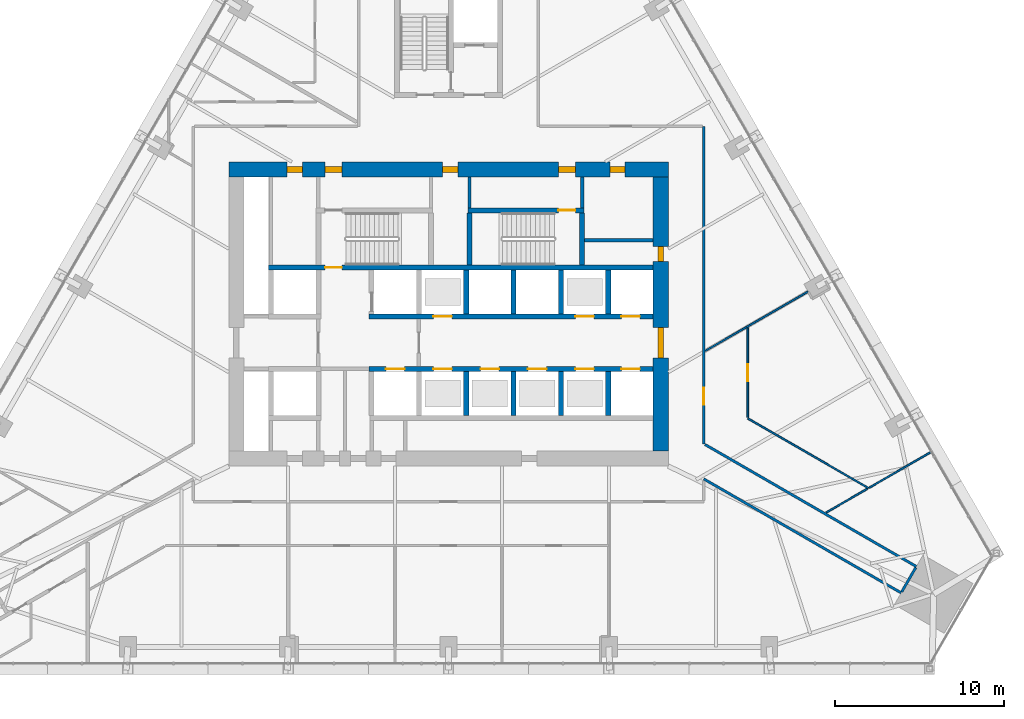
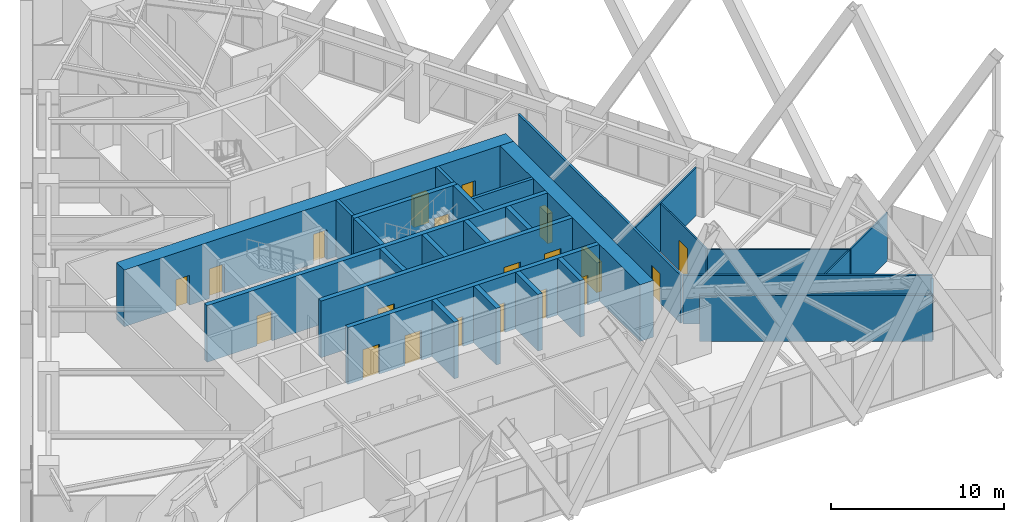
# One storey, part 17 of 21: 28 walls, 20 doors, 20 openings.
"""IFC4 building model written with IfcOpenShell, lengths in metres."""

from ifc_helpers import new_model, si_unit, direction, frame, frame_2d, origin, place, context, subcontext, project, spatial, rectangle, extrude, material, layer, layer_set, type_object, element, fill, save


model = new_model("IFC4")

# Units and contexts
model_context = context("Model", 3, precision=1e-05, world=origin(), true_north=direction((0.0, 1.0)))
body_context = subcontext(model_context, "Body", "Model", "MODEL_VIEW")
ifc_project = project(units=[si_unit("LENGTHUNIT", "METRE"), si_unit("AREAUNIT", "SQUARE_METRE"), si_unit("VOLUMEUNIT", "CUBIC_METRE"), si_unit("PLANEANGLEUNIT", "RADIAN"), si_unit("MASSUNIT", "GRAM", prefix="KILO")], contexts=[model_context])

# Site, building, storey
site_placement = place(None, origin())
site = spatial("IfcSite", under=ifc_project, at=site_placement, CompositionType="ELEMENT")
building_placement = place(site_placement, origin())
building = spatial("IfcBuilding", under=site, at=building_placement, Name="Firuza Gate Tower and Library", CompositionType="ELEMENT")
storey_placement = place(building_placement, frame((0.0, 0.0, 73.60009765625)))
storey = spatial("IfcBuildingStorey", under=building, at=storey_placement, Name="L16", CompositionType="ELEMENT", Elevation=73.60009765625)

# Walls
ifc_material_1 = material(Name="Plasterboard on steel studs", Category="steel")
ifc_layer_1 = layer(ifc_material_1, 0.199951171875)
ifc_layer_set_1 = layer_set([ifc_layer_1], Name="Core partition 200 EI 120")
wall_type_1 = type_object("IfcWallType", Name="Core partition 200 EI 120", PredefinedType="PARTITIONING", material=ifc_layer_set_1)
wall_1_placement = place(storey_placement, frame((83.050048828125, 79.35498046875, 0.0), z_axis=(0.0, 0.0, 1.0), x_axis=(1.0, 0.0, 0.0)))
element("IfcWall", 1, at=wall_1_placement, inside=storey, type_object=wall_type_1, Name="Core partition L16 4", PredefinedType="PARTITIONING", context=body_context, shape_type="SweptSolid", body=[
    extrude(rectangle(XDim=4.050048828125, YDim=0.199951171875, at=frame_2d((2.02490234375, 0.0))), origin(), (0.0, 0.0, 1.0), 4.0),
])
wall_2_placement = place(storey_placement, frame((82.89990234375, 81.280029296875, 0.0), z_axis=(0.0, 0.0, 1.0), x_axis=(0.0, 1.0, 0.0)))
element("IfcWall", 2, at=wall_2_placement, inside=storey, type_object=wall_type_1, Name="Core partition L16 16", PredefinedType="PARTITIONING", context=body_context, shape_type="SweptSolid", body=[
    extrude(rectangle(XDim=1.820068359375, YDim=0.199951171875, at=frame_2d((0.91015625, 0.0))), origin(), (0.0, 0.0, 1.0), 4.0),
])
ifc_material_2 = material(Name="Plasterboard on steel studs", Category="steel")
ifc_layer_2 = layer(ifc_material_2, 0.199951171875)
ifc_layer_set_2 = layer_set([ifc_layer_2], Name="Core partition 200 EI 60")
wall_type_2 = type_object("IfcWallType", Name="Core partition 200 EI 60", PredefinedType="PARTITIONING", material=ifc_layer_set_2)
wall_3_placement = place(storey_placement, frame((76.239990234375, 81.280029296875, 0.0), z_axis=(0.0, 0.0, 1.0), x_axis=(0.0, 1.0, 0.0)))
element("IfcWall", 3, at=wall_3_placement, inside=storey, type_object=wall_type_2, Name="Core partition L16 15", PredefinedType="PARTITIONING", context=body_context, shape_type="SweptSolid", body=[
    extrude(rectangle(XDim=1.820068359375, YDim=0.199951171875, at=frame_2d((0.91015625, 0.0))), origin(), (0.0, 0.0, 1.0), 4.0),
])

# Wall, openings, doors
ifc_material_3 = material(Name="Concrete C80/95", Category="concrete")
ifc_layer_3 = layer(ifc_material_3, 0.300048828125)
ifc_layer_set_3 = layer_set([ifc_layer_3], Name="Core wall 300 C80/95")
wall_type_3 = type_object("IfcWallType", Name="Core wall 300 C80/95", PredefinedType="SHEAR", material=ifc_layer_set_3)
wall_4_placement = place(storey_placement, frame((70.300048828125, 71.75, 0.0), z_axis=(0.0, 0.0, 1.0), x_axis=(1.0, 0.0, 0.0)))
wall_4 = element("IfcWall", 4, at=wall_4_placement, inside=storey, type_object=wall_type_3, Name="Core wall L16 8", PredefinedType="SHEAR", context=body_context, shape_type="SweptSolid", body=[
    extrude(rectangle(XDim=16.800048828125, YDim=0.300048828125, at=frame_2d((8.39990234375, 0.0))), origin(), (0.0, 0.0, 1.0), 4.0),
])
opening_1_placement = place(wall_4_placement, frame((1.0, 0.0, 0.0)))
opening_1 = element("IfcOpeningElement", 5, at=opening_1_placement, cuts=wall_4, Name="Opening LD-FF1-L16", PredefinedType="OPENING", context=body_context, shape_type="SweptSolid", body=[
    extrude(rectangle(XDim=1.10009765625, YDim=2.10009765625, at=frame_2d((0.550048828125, 1.050048828125))), frame((0.0, 0.16015625, 0.0), z_axis=(0.0, -1.0, 0.0), x_axis=(1.0, 0.0, 0.0)), (0.0, 0.0, 1.0), 0.320068359375),
])
opening_2_placement = place(wall_4_placement, frame((3.800048828125, 0.0, 0.0)))
opening_2 = element("IfcOpeningElement", 6, at=opening_2_placement, cuts=wall_4, Name="Opening LD-LR1-L16", PredefinedType="OPENING", context=body_context, shape_type="SweptSolid", body=[
    extrude(rectangle(XDim=1.10009765625, YDim=2.10009765625, at=frame_2d((0.550048828125, 1.050048828125))), frame((0.0, 0.16015625, 0.0), z_axis=(0.0, -1.0, 0.0), x_axis=(1.0, 0.0, 0.0)), (0.0, 0.0, 1.0), 0.320068359375),
])
opening_3_placement = place(wall_4_placement, frame((6.60009765625, 0.0, 0.0)))
opening_3 = element("IfcOpeningElement", 7, at=opening_3_placement, cuts=wall_4, Name="Opening LD-LR2-L16", PredefinedType="OPENING", context=body_context, shape_type="SweptSolid", body=[
    extrude(rectangle(XDim=1.10009765625, YDim=2.10009765625, at=frame_2d((0.550048828125, 1.050048828125))), frame((0.0, 0.16015625, 0.0), z_axis=(0.0, -1.0, 0.0), x_axis=(1.0, 0.0, 0.0)), (0.0, 0.0, 1.0), 0.320068359375),
])
opening_4_placement = place(wall_4_placement, frame((9.39990234375, 0.0, 0.0)))
opening_4 = element("IfcOpeningElement", 8, at=opening_4_placement, cuts=wall_4, Name="Opening LD-LR3-L16", PredefinedType="OPENING", context=body_context, shape_type="SweptSolid", body=[
    extrude(rectangle(XDim=1.10009765625, YDim=2.10009765625, at=frame_2d((0.550048828125, 1.050048828125))), frame((0.0, 0.16015625, 0.0), z_axis=(0.0, -1.0, 0.0), x_axis=(1.0, 0.0, 0.0)), (0.0, 0.0, 1.0), 0.320068359375),
])
opening_5_placement = place(wall_4_placement, frame((12.199951171875, 0.0, 0.0)))
opening_5 = element("IfcOpeningElement", 9, at=opening_5_placement, cuts=wall_4, Name="Opening LD-LR5-L16", PredefinedType="OPENING", context=body_context, shape_type="SweptSolid", body=[
    extrude(rectangle(XDim=1.10009765625, YDim=2.10009765625, at=frame_2d((0.550048828125, 1.050048828125))), frame((0.0, 0.16015625, 0.0), z_axis=(0.0, -1.0, 0.0), x_axis=(1.0, 0.0, 0.0)), (0.0, 0.0, 1.0), 0.320068359375),
])
opening_6_placement = place(wall_4_placement, frame((14.925048828125, 0.0, 0.0)))
opening_6 = element("IfcOpeningElement", 10, at=opening_6_placement, cuts=wall_4, Name="Opening LD-LR7-L16", PredefinedType="OPENING", context=body_context, shape_type="SweptSolid", body=[
    extrude(rectangle(XDim=1.10009765625, YDim=2.10009765625, at=frame_2d((0.550048828125, 1.050048828125))), frame((0.0, 0.16015625, 0.0), z_axis=(0.0, -1.0, 0.0), x_axis=(1.0, 0.0, 0.0)), (0.0, 0.0, 1.0), 0.320068359375),
])
ifc_material_4 = material(Name="Stainless steel", Category="steel")
door_type_1 = type_object("IfcDoorType", Name="Lift landing door 1100x2100", OperationType="DOUBLE_DOOR_SLIDING", PredefinedType="DOOR", material=ifc_material_4)
door_1_placement = place(opening_1_placement, origin())
door_1 = element("IfcDoor", 11, at=door_1_placement, inside=storey, type_object=door_type_1, Name="Landing door FF1 L16", OperationType="DOUBLE_DOOR_SLIDING", OverallHeight=2.10009765625, OverallWidth=1.10009765625, PredefinedType="DOOR", context=body_context, shape_type="SweptSolid", body=[
    extrude(rectangle(XDim=1.10009765625, YDim=2.10009765625, at=frame_2d((0.550048828125, 1.050048828125))), frame((0.0, 0.02490234375, 0.0), z_axis=(0.0, -1.0, 0.0), x_axis=(1.0, 0.0, 0.0)), (0.0, 0.0, 1.0), 0.050048828125),
])
fill(opening_1, door_1)
door_2_placement = place(opening_2_placement, origin())
door_2 = element("IfcDoor", 12, at=door_2_placement, inside=storey, type_object=door_type_1, Name="Landing door LR1 L16", OperationType="DOUBLE_DOOR_SLIDING", OverallHeight=2.10009765625, OverallWidth=1.10009765625, PredefinedType="DOOR", context=body_context, shape_type="SweptSolid", body=[
    extrude(rectangle(XDim=1.10009765625, YDim=2.10009765625, at=frame_2d((0.550048828125, 1.050048828125))), frame((0.0, 0.02490234375, 0.0), z_axis=(0.0, -1.0, 0.0), x_axis=(1.0, 0.0, 0.0)), (0.0, 0.0, 1.0), 0.050048828125),
])
fill(opening_2, door_2)
door_3_placement = place(opening_3_placement, origin())
door_3 = element("IfcDoor", 13, at=door_3_placement, inside=storey, type_object=door_type_1, Name="Landing door LR2 L16", OperationType="DOUBLE_DOOR_SLIDING", OverallHeight=2.10009765625, OverallWidth=1.10009765625, PredefinedType="DOOR", context=body_context, shape_type="SweptSolid", body=[
    extrude(rectangle(XDim=1.10009765625, YDim=2.10009765625, at=frame_2d((0.550048828125, 1.050048828125))), frame((0.0, 0.02490234375, 0.0), z_axis=(0.0, -1.0, 0.0), x_axis=(1.0, 0.0, 0.0)), (0.0, 0.0, 1.0), 0.050048828125),
])
fill(opening_3, door_3)
door_4_placement = place(opening_4_placement, origin())
door_4 = element("IfcDoor", 14, at=door_4_placement, inside=storey, type_object=door_type_1, Name="Landing door LR3 L16", OperationType="DOUBLE_DOOR_SLIDING", OverallHeight=2.10009765625, OverallWidth=1.10009765625, PredefinedType="DOOR", context=body_context, shape_type="SweptSolid", body=[
    extrude(rectangle(XDim=1.10009765625, YDim=2.10009765625, at=frame_2d((0.550048828125, 1.050048828125))), frame((0.0, 0.02490234375, 0.0), z_axis=(0.0, -1.0, 0.0), x_axis=(1.0, 0.0, 0.0)), (0.0, 0.0, 1.0), 0.050048828125),
])
fill(opening_4, door_4)
door_5_placement = place(opening_5_placement, origin())
door_5 = element("IfcDoor", 15, at=door_5_placement, inside=storey, type_object=door_type_1, Name="Landing door LR5 L16", OperationType="DOUBLE_DOOR_SLIDING", OverallHeight=2.10009765625, OverallWidth=1.10009765625, PredefinedType="DOOR", context=body_context, shape_type="SweptSolid", body=[
    extrude(rectangle(XDim=1.10009765625, YDim=2.10009765625, at=frame_2d((0.550048828125, 1.050048828125))), frame((0.0, 0.02490234375, 0.0), z_axis=(0.0, -1.0, 0.0), x_axis=(1.0, 0.0, 0.0)), (0.0, 0.0, 1.0), 0.050048828125),
])
fill(opening_5, door_5)
door_6_placement = place(opening_6_placement, origin())
door_6 = element("IfcDoor", 16, at=door_6_placement, inside=storey, type_object=door_type_1, Name="Landing door LR7 L16", OperationType="DOUBLE_DOOR_SLIDING", OverallHeight=2.10009765625, OverallWidth=1.10009765625, PredefinedType="DOOR", context=body_context, shape_type="SweptSolid", body=[
    extrude(rectangle(XDim=1.10009765625, YDim=2.10009765625, at=frame_2d((0.550048828125, 1.050048828125))), frame((0.0, 0.02490234375, 0.0), z_axis=(0.0, -1.0, 0.0), x_axis=(1.0, 0.0, 0.0)), (0.0, 0.0, 1.0), 0.050048828125),
])
fill(opening_6, door_6)

wall_5_placement = place(storey_placement, frame((70.300048828125, 74.85009765625, 0.0), z_axis=(0.0, 0.0, 1.0), x_axis=(1.0, 0.0, 0.0)))
wall_5 = element("IfcWall", 17, at=wall_5_placement, inside=storey, type_object=wall_type_3, Name="Core wall L16 10", PredefinedType="SHEAR", context=body_context, shape_type="SweptSolid", body=[
    extrude(rectangle(XDim=16.800048828125, YDim=0.300048828125, at=frame_2d((8.39990234375, 0.0))), origin(), (0.0, 0.0, 1.0), 4.0),
])
opening_7_placement = place(wall_5_placement, frame((3.800048828125, 0.0, 0.0)))
opening_7 = element("IfcOpeningElement", 18, at=opening_7_placement, cuts=wall_5, Name="Opening LD-LR4-L16", PredefinedType="OPENING", context=body_context, shape_type="SweptSolid", body=[
    extrude(rectangle(XDim=1.10009765625, YDim=2.10009765625, at=frame_2d((0.550048828125, 1.050048828125))), frame((0.0, 0.16015625, 0.0), z_axis=(0.0, -1.0, 0.0), x_axis=(1.0, 0.0, 0.0)), (0.0, 0.0, 1.0), 0.320068359375),
])
opening_8_placement = place(wall_5_placement, frame((12.199951171875, 0.0, 0.0)))
opening_8 = element("IfcOpeningElement", 19, at=opening_8_placement, cuts=wall_5, Name="Opening LD-LR6-L16", PredefinedType="OPENING", context=body_context, shape_type="SweptSolid", body=[
    extrude(rectangle(XDim=1.10009765625, YDim=2.10009765625, at=frame_2d((0.550048828125, 1.050048828125))), frame((0.0, 0.16015625, 0.0), z_axis=(0.0, -1.0, 0.0), x_axis=(1.0, 0.0, 0.0)), (0.0, 0.0, 1.0), 0.320068359375),
])
opening_9_placement = place(wall_5_placement, frame((14.925048828125, 0.0, 0.0)))
opening_9 = element("IfcOpeningElement", 20, at=opening_9_placement, cuts=wall_5, Name="Opening LD-LR8-L16", PredefinedType="OPENING", context=body_context, shape_type="SweptSolid", body=[
    extrude(rectangle(XDim=1.10009765625, YDim=2.10009765625, at=frame_2d((0.550048828125, 1.050048828125))), frame((0.0, 0.16015625, 0.0), z_axis=(0.0, -1.0, 0.0), x_axis=(1.0, 0.0, 0.0)), (0.0, 0.0, 1.0), 0.320068359375),
])
door_7_placement = place(opening_7_placement, origin())
door_7 = element("IfcDoor", 21, at=door_7_placement, inside=storey, type_object=door_type_1, Name="Landing door LR4 L16", OperationType="DOUBLE_DOOR_SLIDING", OverallHeight=2.10009765625, OverallWidth=1.10009765625, PredefinedType="DOOR", context=body_context, shape_type="SweptSolid", body=[
    extrude(rectangle(XDim=1.10009765625, YDim=2.10009765625, at=frame_2d((0.550048828125, 1.050048828125))), frame((0.0, 0.02490234375, 0.0), z_axis=(0.0, -1.0, 0.0), x_axis=(1.0, 0.0, 0.0)), (0.0, 0.0, 1.0), 0.050048828125),
])
fill(opening_7, door_7)
door_8_placement = place(opening_8_placement, origin())
door_8 = element("IfcDoor", 22, at=door_8_placement, inside=storey, type_object=door_type_1, Name="Landing door LR6 L16", OperationType="DOUBLE_DOOR_SLIDING", OverallHeight=2.10009765625, OverallWidth=1.10009765625, PredefinedType="DOOR", context=body_context, shape_type="SweptSolid", body=[
    extrude(rectangle(XDim=1.10009765625, YDim=2.10009765625, at=frame_2d((0.550048828125, 1.050048828125))), frame((0.0, 0.02490234375, 0.0), z_axis=(0.0, -1.0, 0.0), x_axis=(1.0, 0.0, 0.0)), (0.0, 0.0, 1.0), 0.050048828125),
])
fill(opening_8, door_8)
door_9_placement = place(opening_9_placement, origin())
door_9 = element("IfcDoor", 23, at=door_9_placement, inside=storey, type_object=door_type_1, Name="Landing door LR8 L16", OperationType="DOUBLE_DOOR_SLIDING", OverallHeight=2.10009765625, OverallWidth=1.10009765625, PredefinedType="DOOR", context=body_context, shape_type="SweptSolid", body=[
    extrude(rectangle(XDim=1.10009765625, YDim=2.10009765625, at=frame_2d((0.550048828125, 1.050048828125))), frame((0.0, 0.02490234375, 0.0), z_axis=(0.0, -1.0, 0.0), x_axis=(1.0, 0.0, 0.0)), (0.0, 0.0, 1.0), 0.050048828125),
])
fill(opening_9, door_9)

# Walls
for number, where, z_axis, x_axis, name in (
    (24, (76.050048828125, 69.0, 0.0), (0.0, 0.0, 1.0), (0.0, 1.0, 0.0), "Core wall L16 19"),
    (25, (76.050048828125, 75.0, 0.0), (0.0, 0.0, 1.0), (0.0, 1.0, 0.0), "Core wall L16 20"),
    (26, (78.85009765625, 69.0, 0.0), (0.0, 0.0, 1.0), (0.0, 1.0, 0.0), "Core wall L16 21"),
    (27, (78.85009765625, 75.0, 0.0), (0.0, 0.0, 1.0), (0.0, 1.0, 0.0), "Core wall L16 22"),
    (28, (81.64990234375, 69.0, 0.0), (0.0, 0.0, 1.0), (0.0, 1.0, 0.0), "Core wall L16 23"),
    (29, (81.64990234375, 75.0, 0.0), (0.0, 0.0, 1.0), (0.0, 1.0, 0.0), "Core wall L16 24"),
    (30, (84.449951171875, 69.0, 0.0), (0.0, 0.0, 1.0), (0.0, 1.0, 0.0), "Core wall L16 25"),
    (31, (84.449951171875, 75.0, 0.0), (0.0, 0.0, 1.0), (0.0, 1.0, 0.0), "Core wall L16 26"),
):
    element("IfcWall", number, at=place(storey_placement, frame(where, z_axis=z_axis, x_axis=x_axis)), inside=storey, type_object=wall_type_3, Name=name, PredefinedType="SHEAR", context=body_context, shape_type="SweptSolid", body=[
        extrude(rectangle(XDim=2.60009765625, YDim=0.300048828125, at=frame_2d((1.300048828125, 0.0))), origin(), (0.0, 0.0, 1.0), 4.0),
    ])

# Wall, opening, door
wall_6_placement = place(storey_placement, frame((64.35009765625, 77.75, 0.0), z_axis=(0.0, 0.0, 1.0), x_axis=(1.0, 0.0, 0.0)))
wall_6 = element("IfcWall", 32, at=wall_6_placement, inside=storey, type_object=wall_type_3, Name="Core wall L16 27", PredefinedType="SHEAR", context=body_context, shape_type="SweptSolid", body=[
    extrude(rectangle(XDim=22.75, YDim=0.300048828125, at=frame_2d((11.375, 0.0))), origin(), (0.0, 0.0, 1.0), 4.0),
])
opening_10_placement = place(wall_6_placement, frame((3.344970703125, 0.0, 0.0)))
opening_10 = element("IfcOpeningElement", 33, at=opening_10_placement, cuts=wall_6, Name="Opening L16-K12", PredefinedType="OPENING", context=body_context, shape_type="SweptSolid", body=[
    extrude(rectangle(XDim=1.0, YDim=2.10009765625, at=frame_2d((0.5, 1.050048828125))), frame((0.0, 0.16015625, 0.0), z_axis=(0.0, -1.0, 0.0), x_axis=(1.0, 0.0, 0.0)), (0.0, 0.0, 1.0), 0.320068359375),
])
ifc_material_5 = material(Name="Steel", Category="steel")
door_type_2 = type_object("IfcDoorType", Name="Fire door 1000x2100 FD90", OperationType="NOTDEFINED", PredefinedType="DOOR", material=ifc_material_5)
door_10_placement = place(opening_10_placement, origin())
door_10 = element("IfcDoor", 34, at=door_10_placement, inside=storey, type_object=door_type_2, Name="Door L16-K12", OperationType="SINGLE_SWING_LEFT", OverallHeight=2.10009765625, OverallWidth=1.0, PredefinedType="DOOR", context=body_context, shape_type="SweptSolid", body=[
    extrude(rectangle(XDim=1.0, YDim=2.10009765625, at=frame_2d((0.5, 1.050048828125))), frame((0.0, 0.02490234375, 0.0), z_axis=(0.0, -1.0, 0.0), x_axis=(1.0, 0.0, 0.0)), (0.0, 0.0, 1.0), 0.050048828125),
])
fill(opening_10, door_10)

wall_7_placement = place(storey_placement, frame((76.139892578125, 81.1298828125, 0.0), z_axis=(0.0, 0.0, 1.0), x_axis=(1.0, 0.0, 0.0)))
wall_7 = element("IfcWall", 35, at=wall_7_placement, inside=storey, type_object=wall_type_3, Name="Core wall L16 29", PredefinedType="SHEAR", context=body_context, shape_type="SweptSolid", body=[
    extrude(rectangle(XDim=6.860107421875, YDim=0.300048828125, at=frame_2d((3.43017578125, 0.0))), origin(), (0.0, 0.0, 1.0), 4.0),
])
opening_11_placement = place(wall_7_placement, frame((5.364990234375, 0.0, 0.0)))
opening_11 = element("IfcOpeningElement", 36, at=opening_11_placement, cuts=wall_7, Name="Opening L16-K15", PredefinedType="OPENING", context=body_context, shape_type="SweptSolid", body=[
    extrude(rectangle(XDim=1.0, YDim=2.10009765625, at=frame_2d((0.5, 1.050048828125))), frame((0.0, 0.16015625, 0.0), z_axis=(0.0, -1.0, 0.0), x_axis=(1.0, 0.0, 0.0)), (0.0, 0.0, 1.0), 0.320068359375),
])
door_11_placement = place(opening_11_placement, origin())
door_11 = element("IfcDoor", 37, at=door_11_placement, inside=storey, type_object=door_type_2, Name="Door L16-K15", OperationType="SINGLE_SWING_RIGHT", OverallHeight=2.10009765625, OverallWidth=1.0, PredefinedType="DOOR", context=body_context, shape_type="SweptSolid", body=[
    extrude(rectangle(XDim=1.0, YDim=2.10009765625, at=frame_2d((0.5, 1.050048828125))), frame((0.0, 0.02490234375, 0.0), z_axis=(0.0, -1.0, 0.0), x_axis=(1.0, 0.0, 0.0)), (0.0, 0.0, 1.0), 0.050048828125),
])
fill(opening_11, door_11)

# Walls
for number, where, z_axis, x_axis, name in (
    (38, (76.239990234375, 77.89990234375, 0.0), (0.0, 0.0, 1.0), (0.0, 1.0, 0.0), "Core wall L16 32"),
    (39, (82.89990234375, 77.89990234375, 0.0), (0.0, 0.0, 1.0), (0.0, 1.0, 0.0), "Core wall L16 33"),
):
    element("IfcWall", number, at=place(storey_placement, frame(where, z_axis=z_axis, x_axis=x_axis)), inside=storey, type_object=wall_type_3, Name=name, PredefinedType="SHEAR", context=body_context, shape_type="SweptSolid", body=[
        extrude(rectangle(XDim=3.080078125, YDim=0.300048828125, at=frame_2d((1.5400390625, 0.0))), origin(), (0.0, 0.0, 1.0), 4.0),
    ])

# Wall, openings, doors
ifc_material_6 = material(Name="Concrete C80/95", Category="concrete")
ifc_layer_4 = layer(ifc_material_6, 0.89990234375)
ifc_layer_set_4 = layer_set([ifc_layer_4], Name="Core wall 900 C80/95")
wall_type_4 = type_object("IfcWallType", Name="Core wall 900 C80/95", PredefinedType="SHEAR", material=ifc_layer_set_4)
wall_8_placement = place(storey_placement, frame((62.0, 83.550048828125, 0.0), z_axis=(0.0, 0.0, 1.0), x_axis=(1.0, 0.0, 0.0)))
wall_8 = element("IfcWall", 40, at=wall_8_placement, inside=storey, type_object=wall_type_4, Name="Core wall L16 2", PredefinedType="SHEAR", context=body_context, shape_type="SweptSolid", body=[
    extrude(rectangle(XDim=26.0, YDim=0.89990234375, at=frame_2d((13.0, 0.0))), origin(), (0.0, 0.0, 1.0), 4.0),
])
opening_12_placement = place(wall_8_placement, frame((5.695068359375, 0.0, 0.0)))
opening_12 = element("IfcOpeningElement", 41, at=opening_12_placement, cuts=wall_8, Name="Opening L16-K14", PredefinedType="OPENING", context=body_context, shape_type="SweptSolid", body=[
    extrude(rectangle(XDim=1.0, YDim=2.10009765625, at=frame_2d((0.5, 1.050048828125))), frame((0.0, 0.4599609375, 0.0), z_axis=(0.0, -1.0, 0.0), x_axis=(1.0, 0.0, 0.0)), (0.0, 0.0, 1.0), 0.919921875),
])
opening_13_placement = place(wall_8_placement, frame((19.5048828125, 0.0, 0.0)))
opening_13 = element("IfcOpeningElement", 42, at=opening_13_placement, cuts=wall_8, Name="Opening L16-K16", PredefinedType="OPENING", context=body_context, shape_type="SweptSolid", body=[
    extrude(rectangle(XDim=1.0, YDim=2.10009765625, at=frame_2d((0.5, 1.050048828125))), frame((0.0, 0.4599609375, 0.0), z_axis=(0.0, -1.0, 0.0), x_axis=(1.0, 0.0, 0.0)), (0.0, 0.0, 1.0), 0.919921875),
])
opening_14_placement = place(wall_8_placement, frame((3.449951171875, 0.0, 0.0)))
opening_14 = element("IfcOpeningElement", 43, at=opening_14_placement, cuts=wall_8, Name="Opening L16-K29", PredefinedType="OPENING", context=body_context, shape_type="SweptSolid", body=[
    extrude(rectangle(XDim=0.89990234375, YDim=2.10009765625, at=frame_2d((0.449951171875, 1.050048828125))), frame((0.0, 0.4599609375, 0.0), z_axis=(0.0, -1.0, 0.0), x_axis=(1.0, 0.0, 0.0)), (0.0, 0.0, 1.0), 0.919921875),
])
opening_15_placement = place(wall_8_placement, frame((12.64990234375, 0.0, 0.0)))
opening_15 = element("IfcOpeningElement", 44, at=opening_15_placement, cuts=wall_8, Name="Opening L16-K30", PredefinedType="OPENING", context=body_context, shape_type="SweptSolid", body=[
    extrude(rectangle(XDim=0.89990234375, YDim=2.10009765625, at=frame_2d((0.449951171875, 1.050048828125))), frame((0.0, 0.4599609375, 0.0), z_axis=(0.0, -1.0, 0.0), x_axis=(1.0, 0.0, 0.0)), (0.0, 0.0, 1.0), 0.919921875),
])
opening_16_placement = place(wall_8_placement, frame((22.550048828125, 0.0, 0.0)))
opening_16 = element("IfcOpeningElement", 45, at=opening_16_placement, cuts=wall_8, Name="Opening L16-K32", PredefinedType="OPENING", context=body_context, shape_type="SweptSolid", body=[
    extrude(rectangle(XDim=0.89990234375, YDim=2.10009765625, at=frame_2d((0.449951171875, 1.050048828125))), frame((0.0, 0.4599609375, 0.0), z_axis=(0.0, -1.0, 0.0), x_axis=(1.0, 0.0, 0.0)), (0.0, 0.0, 1.0), 0.919921875),
])
door_12_placement = place(opening_12_placement, origin())
door_12 = element("IfcDoor", 46, at=door_12_placement, inside=storey, type_object=door_type_2, Name="Door L16-K14", OperationType="SINGLE_SWING_LEFT", OverallHeight=2.10009765625, OverallWidth=1.0, PredefinedType="DOOR", context=body_context, shape_type="SweptSolid", body=[
    extrude(rectangle(XDim=1.0, YDim=2.10009765625, at=frame_2d((0.5, 1.050048828125))), frame((0.0, 0.169921875, 0.0), z_axis=(0.0, -1.0, 0.0), x_axis=(1.0, 0.0, 0.0)), (0.0, 0.0, 1.0), 0.33984375),
])
fill(opening_12, door_12)
door_13_placement = place(opening_13_placement, origin())
door_13 = element("IfcDoor", 47, at=door_13_placement, inside=storey, type_object=door_type_2, Name="Door L16-K16", OperationType="SINGLE_SWING_LEFT", OverallHeight=2.10009765625, OverallWidth=1.0, PredefinedType="DOOR", context=body_context, shape_type="SweptSolid", body=[
    extrude(rectangle(XDim=1.0, YDim=2.10009765625, at=frame_2d((0.5, 1.050048828125))), frame((0.0, 0.169921875, 0.0), z_axis=(0.0, -1.0, 0.0), x_axis=(1.0, 0.0, 0.0)), (0.0, 0.0, 1.0), 0.33984375),
])
fill(opening_13, door_13)
ifc_material_7 = material(Name="Steel", Category="steel")
door_type_3 = type_object("IfcDoorType", Name="Fire door 900x2100 FD30S", OperationType="NOTDEFINED", PredefinedType="DOOR", material=ifc_material_7)
door_14_placement = place(opening_14_placement, origin())
door_14 = element("IfcDoor", 48, at=door_14_placement, inside=storey, type_object=door_type_3, Name="Door L16-K29", OperationType="SINGLE_SWING_RIGHT", OverallHeight=2.10009765625, OverallWidth=0.89990234375, PredefinedType="DOOR", context=body_context, shape_type="SweptSolid", body=[
    extrude(rectangle(XDim=0.89990234375, YDim=2.10009765625, at=frame_2d((0.449951171875, 1.050048828125))), frame((0.0, 0.169921875, 0.0), z_axis=(0.0, -1.0, 0.0), x_axis=(1.0, 0.0, 0.0)), (0.0, 0.0, 1.0), 0.33984375),
])
fill(opening_14, door_14)
door_15_placement = place(opening_15_placement, origin())
door_15 = element("IfcDoor", 49, at=door_15_placement, inside=storey, type_object=door_type_3, Name="Door L16-K30", OperationType="SINGLE_SWING_LEFT", OverallHeight=2.10009765625, OverallWidth=0.89990234375, PredefinedType="DOOR", context=body_context, shape_type="SweptSolid", body=[
    extrude(rectangle(XDim=0.89990234375, YDim=2.10009765625, at=frame_2d((0.449951171875, 1.050048828125))), frame((0.0, 0.169921875, 0.0), z_axis=(0.0, -1.0, 0.0), x_axis=(1.0, 0.0, 0.0)), (0.0, 0.0, 1.0), 0.33984375),
])
fill(opening_15, door_15)
door_16_placement = place(opening_16_placement, origin())
door_16 = element("IfcDoor", 50, at=door_16_placement, inside=storey, type_object=door_type_3, Name="Door L16-K32", OperationType="SINGLE_SWING_LEFT", OverallHeight=2.10009765625, OverallWidth=0.89990234375, PredefinedType="DOOR", context=body_context, shape_type="SweptSolid", body=[
    extrude(rectangle(XDim=0.89990234375, YDim=2.10009765625, at=frame_2d((0.449951171875, 1.050048828125))), frame((0.0, 0.169921875, 0.0), z_axis=(0.0, -1.0, 0.0), x_axis=(1.0, 0.0, 0.0)), (0.0, 0.0, 1.0), 0.33984375),
])
fill(opening_16, door_16)

wall_9_placement = place(storey_placement, frame((87.550048828125, 66.89990234375, 0.0), z_axis=(0.0, 0.0, 1.0), x_axis=(0.0, 1.0, 0.0)))
wall_9 = element("IfcWall", 51, at=wall_9_placement, inside=storey, type_object=wall_type_4, Name="Core wall L16 4", PredefinedType="SHEAR", context=body_context, shape_type="SweptSolid", body=[
    extrude(rectangle(XDim=16.2001953125, YDim=0.89990234375, at=frame_2d((8.10009765625, 0.0))), origin(), (0.0, 0.0, 1.0), 4.0),
])
opening_17_placement = place(wall_9_placement, frame((5.5, 0.0, 0.0)))
opening_17 = element("IfcOpeningElement", 52, at=opening_17_placement, cuts=wall_9, Name="Opening L16-K23", PredefinedType="OPENING", context=body_context, shape_type="SweptSolid", body=[
    extrude(rectangle(XDim=1.800048828125, YDim=2.10009765625, at=frame_2d((0.89990234375, 1.050048828125))), frame((0.0, 0.4599609375, 0.0), z_axis=(0.0, -1.0, 0.0), x_axis=(1.0, 0.0, 0.0)), (0.0, 0.0, 1.0), 0.919921875),
])
opening_18_placement = place(wall_9_placement, frame((11.202392578125, 0.0, 0.0)))
opening_18 = element("IfcOpeningElement", 53, at=opening_18_placement, cuts=wall_9, Name="Opening L16-K31", PredefinedType="OPENING", context=body_context, shape_type="SweptSolid", body=[
    extrude(rectangle(XDim=0.89990234375, YDim=2.10009765625, at=frame_2d((0.449951171875, 1.050048828125))), frame((0.0, 0.4599609375, 0.0), z_axis=(0.0, -1.0, 0.0), x_axis=(1.0, 0.0, 0.0)), (0.0, 0.0, 1.0), 0.919921875),
])
ifc_material_8 = material(Name="Steel", Category="steel")
door_type_4 = type_object("IfcDoorType", Name="Fire door 1800x2100 FD30S", OperationType="NOTDEFINED", PredefinedType="DOOR", material=ifc_material_8)
door_17_placement = place(opening_17_placement, origin())
door_17 = element("IfcDoor", 54, at=door_17_placement, inside=storey, type_object=door_type_4, Name="Door L16-K23", OperationType="SINGLE_SWING_RIGHT", OverallHeight=2.10009765625, OverallWidth=1.800048828125, PredefinedType="DOOR", context=body_context, shape_type="SweptSolid", body=[
    extrude(rectangle(XDim=1.800048828125, YDim=2.10009765625, at=frame_2d((0.89990234375, 1.050048828125))), frame((0.0, 0.169921875, 0.0), z_axis=(0.0, -1.0, 0.0), x_axis=(1.0, 0.0, 0.0)), (0.0, 0.0, 1.0), 0.33984375),
])
fill(opening_17, door_17)
door_18_placement = place(opening_18_placement, origin())
door_18 = element("IfcDoor", 55, at=door_18_placement, inside=storey, type_object=door_type_3, Name="Door L16-K31", OperationType="SINGLE_SWING_RIGHT", OverallHeight=2.10009765625, OverallWidth=0.89990234375, PredefinedType="DOOR", context=body_context, shape_type="SweptSolid", body=[
    extrude(rectangle(XDim=0.89990234375, YDim=2.10009765625, at=frame_2d((0.449951171875, 1.050048828125))), frame((0.0, 0.169921875, 0.0), z_axis=(0.0, -1.0, 0.0), x_axis=(1.0, 0.0, 0.0)), (0.0, 0.0, 1.0), 0.33984375),
])
fill(opening_18, door_18)

# Wall
ifc_material_9 = material(Name="Gypsum board partition")
ifc_layer_5 = layer(ifc_material_9, 0.14990234375)
ifc_layer_set_5 = layer_set([ifc_layer_5], Name="Corridor wall 150 double board on steel studs")
wall_type_5 = type_object("IfcWallType", Name="Corridor wall 150 double board on steel studs", PredefinedType="PARTITIONING", material=ifc_layer_set_5)
wall_10_placement = place(storey_placement, frame((101.812255859375, 58.56787109375, 0.0), z_axis=(0.0, 0.0, 1.0), x_axis=(0.499944585209, 0.866057395165, 0.0)))
element("IfcWall", 56, at=wall_10_placement, inside=storey, type_object=wall_type_5, Name="f:L16:w025", PredefinedType="PARTITIONING", context=body_context, shape_type="SweptSolid", body=[
    extrude(rectangle(XDim=1.649169921875, YDim=0.14990234375, at=frame_2d((0.82470703125, 0.0))), origin(), (0.0, 0.0, 1.0), 3.246826171875),
])

# Wall, opening, door
wall_11_placement = place(storey_placement, frame((90.10009765625, 86.099365234375, 0.0), z_axis=(0.0, 0.0, 1.0), x_axis=(0.0, -1.0, 0.0)))
wall_11 = element("IfcWall", 57, at=wall_11_placement, inside=storey, type_object=wall_type_5, Name="f:L16:w031", PredefinedType="PARTITIONING", context=body_context, shape_type="SweptSolid", body=[
    extrude(rectangle(XDim=18.778076171875, YDim=0.14990234375, at=frame_2d((9.38916015625, 0.0))), origin(), (0.0, 0.0, 1.0), 3.39990234375),
])
opening_19_placement = place(wall_11_placement, frame((15.45458984375, 0.0, 0.0)))
opening_19 = element("IfcOpeningElement", 58, at=opening_19_placement, cuts=wall_11, Name="Opening L16-23", PredefinedType="OPENING", context=body_context, shape_type="SweptSolid", body=[
    extrude(rectangle(XDim=1.0, YDim=2.10009765625, at=frame_2d((0.5, 1.050048828125))), frame((0.0, 0.0849609375, 0.0), z_axis=(0.0, -1.0, 0.0), x_axis=(1.0, 0.0, 0.0)), (0.0, 0.0, 1.0), 0.169921875),
])
ifc_material_10 = material(Name="Steel door and timber leaf", Category="steel")
door_type_5 = type_object("IfcDoorType", Name="Fire door 1000 x 2100 steel frame, timber leaf", OperationType="NOTDEFINED", PredefinedType="DOOR", material=ifc_material_10)
door_19_placement = place(opening_19_placement, origin())
door_19 = element("IfcDoor", 59, at=door_19_placement, inside=storey, type_object=door_type_5, Name="f:L16:d023", OperationType="SINGLE_SWING_RIGHT", OverallHeight=2.10009765625, OverallWidth=1.0, PredefinedType="DOOR", context=body_context, shape_type="SweptSolid", body=[
    extrude(rectangle(XDim=1.0, YDim=2.10009765625, at=frame_2d((0.5, 1.050048828125))), frame((0.0, 0.02490234375, 0.0), z_axis=(0.0, -1.0, 0.0), x_axis=(1.0, 0.0, 0.0)), (0.0, 0.0, 1.0), 0.050048828125),
])
fill(opening_19, door_19)

# Walls
wall_12_placement = place(storey_placement, frame((102.67431640625, 60.0615234375, 0.0), z_axis=(0.0, 0.0, 1.0), x_axis=(-0.866022486604, 0.50000505267, 0.0)))
element("IfcWall", 60, at=wall_12_placement, inside=storey, type_object=wall_type_5, Name="f:L16:w067", PredefinedType="PARTITIONING", context=body_context, shape_type="SweptSolid", body=[
    extrude(rectangle(XDim=14.432861328125, YDim=0.14990234375, at=frame_2d((7.21630859375, 0.0))), origin(), (0.0, 0.0, 1.0), 3.39990234375),
])
wall_13_placement = place(storey_placement, frame((101.7744140625, 58.502685546875, 0.0), z_axis=(0.0, 0.0, 1.0), x_axis=(-0.866023326939, 0.500003597184, 0.0)))
element("IfcWall", 61, at=wall_13_placement, inside=storey, type_object=wall_type_5, Name="f:L16:w070", PredefinedType="PARTITIONING", context=body_context, shape_type="SweptSolid", body=[
    extrude(rectangle(XDim=13.48046875, YDim=0.14990234375, at=frame_2d((6.740234375, 0.0))), origin(), (0.0, 0.0, 1.0), 3.246826171875),
])
ifc_material_11 = material(Name="Gypsum board partition")
ifc_layer_6 = layer(ifc_material_11, 0.10009765625)
ifc_layer_set_6 = layer_set([ifc_layer_6], Name="Partition 100 gypsum board on steel studs")
wall_type_6 = type_object("IfcWallType", Name="Partition 100 gypsum board on steel studs", PredefinedType="PARTITIONING", material=ifc_layer_set_6)
wall_14_placement = place(storey_placement, frame((97.3427734375, 63.256103515625, 0.0), z_axis=(0.0, 0.0, 1.0), x_axis=(0.866028733576, 0.499994232587, 0.0)))
element("IfcWall", 62, at=wall_14_placement, inside=storey, type_object=wall_type_6, Name="f:L16:w013", PredefinedType="PARTITIONING", context=body_context, shape_type="SweptSolid", body=[
    extrude(rectangle(XDim=2.79931640625, YDim=0.10009765625, at=frame_2d((1.399658203125, 0.0))), origin(), (0.0, 0.0, 1.0), 3.39990234375),
])
wall_15_placement = place(storey_placement, frame((90.20068359375, 72.823974609375, 0.0), z_axis=(0.0, 0.0, 1.0), x_axis=(0.866028979627, 0.499993806408, 0.0)))
element("IfcWall", 63, at=wall_15_placement, inside=storey, type_object=wall_type_6, Name="f:L16:w015", PredefinedType="PARTITIONING", context=body_context, shape_type="SweptSolid", body=[
    extrude(rectangle(XDim=7.00927734375, YDim=0.10009765625, at=frame_2d((3.504638671875, 0.0))), origin(), (0.0, 0.0, 1.0), 3.39990234375),
])

# Wall, opening, door
wall_16_placement = place(storey_placement, frame((92.699951171875, 74.1787109375, 0.0), z_axis=(0.0, 0.0, 1.0), x_axis=(0.0, -1.0, 0.0)))
wall_16 = element("IfcWall", 64, at=wall_16_placement, inside=storey, type_object=wall_type_6, Name="f:L16:w029", PredefinedType="PARTITIONING", context=body_context, shape_type="SweptSolid", body=[
    extrude(rectangle(XDim=5.298583984375, YDim=0.10009765625, at=frame_2d((2.6494140625, 0.0))), origin(), (0.0, 0.0, 1.0), 3.39990234375),
])
opening_20_placement = place(wall_16_placement, frame((2.1494140625, 0.0, 0.0)))
opening_20 = element("IfcOpeningElement", 65, at=opening_20_placement, cuts=wall_16, Name="Opening L16-22", PredefinedType="OPENING", context=body_context, shape_type="SweptSolid", body=[
    extrude(rectangle(XDim=1.0, YDim=2.10009765625, at=frame_2d((0.5, 1.050048828125))), frame((0.0, 0.06005859375, 0.0), z_axis=(0.0, -1.0, 0.0), x_axis=(1.0, 0.0, 0.0)), (0.0, 0.0, 1.0), 0.1201171875),
])
ifc_material_12 = material(Name="Timber door", Category="wood")
door_type_6 = type_object("IfcDoorType", Name="Door 1000 x 2100 timber leaf", OperationType="NOTDEFINED", PredefinedType="DOOR", material=ifc_material_12)
door_20_placement = place(opening_20_placement, origin())
door_20 = element("IfcDoor", 66, at=door_20_placement, inside=storey, type_object=door_type_6, Name="f:L16:d022", OperationType="SINGLE_SWING_LEFT", OverallHeight=2.10009765625, OverallWidth=1.0, PredefinedType="DOOR", context=body_context, shape_type="SweptSolid", body=[
    extrude(rectangle(XDim=1.0, YDim=2.10009765625, at=frame_2d((0.5, 1.050048828125))), frame((0.0, 0.02490234375, 0.0), z_axis=(0.0, -1.0, 0.0), x_axis=(1.0, 0.0, 0.0)), (0.0, 0.0, 1.0), 0.050048828125),
])
fill(opening_20, door_20)

# Walls
wall_17_placement = place(storey_placement, frame((99.842041015625, 64.698974609375, 0.0), z_axis=(0.0, 0.0, 1.0), x_axis=(-0.866022901237, 0.500004334515, 0.0)))
element("IfcWall", 67, at=wall_17_placement, inside=storey, type_object=wall_type_6, Name="f:L16:w065", PredefinedType="PARTITIONING", context=body_context, shape_type="SweptSolid", body=[
    extrude(rectangle(XDim=8.2470703125, YDim=0.10009765625, at=frame_2d((4.12353515625, 0.0))), origin(), (0.0, 0.0, 1.0), 3.39990234375),
])
wall_18_placement = place(storey_placement, frame((99.87939453125, 64.720703125, 0.0), z_axis=(0.0, 0.0, 1.0), x_axis=(0.866030225258, 0.499991648869, 0.0)))
element("IfcWall", 68, at=wall_18_placement, inside=storey, type_object=wall_type_6, Name="f:L16:w077", PredefinedType="PARTITIONING", context=body_context, shape_type="SweptSolid", body=[
    extrude(rectangle(XDim=4.2392578125, YDim=0.10009765625, at=frame_2d((2.11962890625, 0.0))), origin(), (0.0, 0.0, 1.0), 3.39990234375),
])

save(model, "model.ifc")
